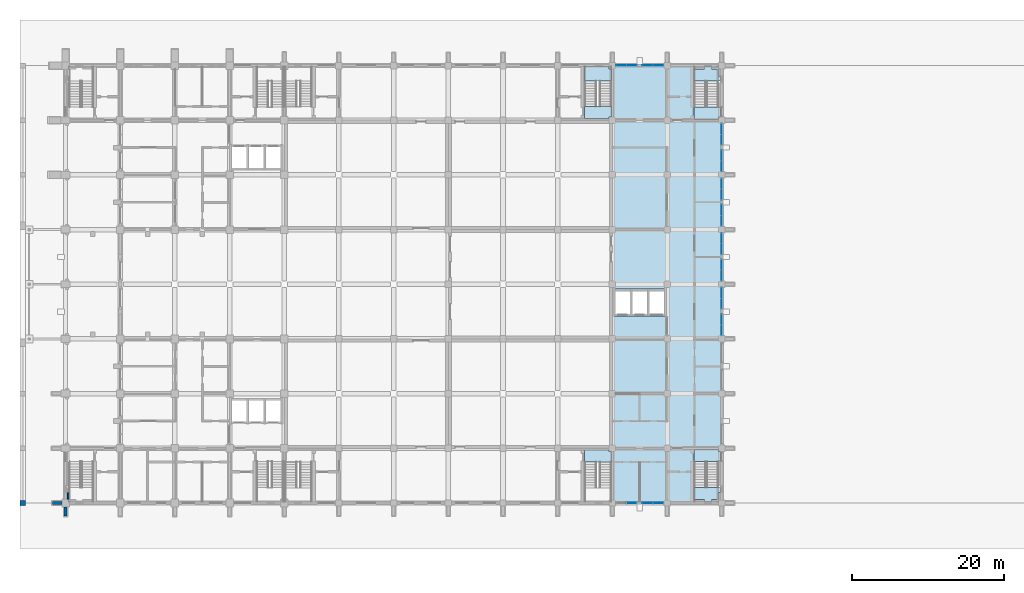
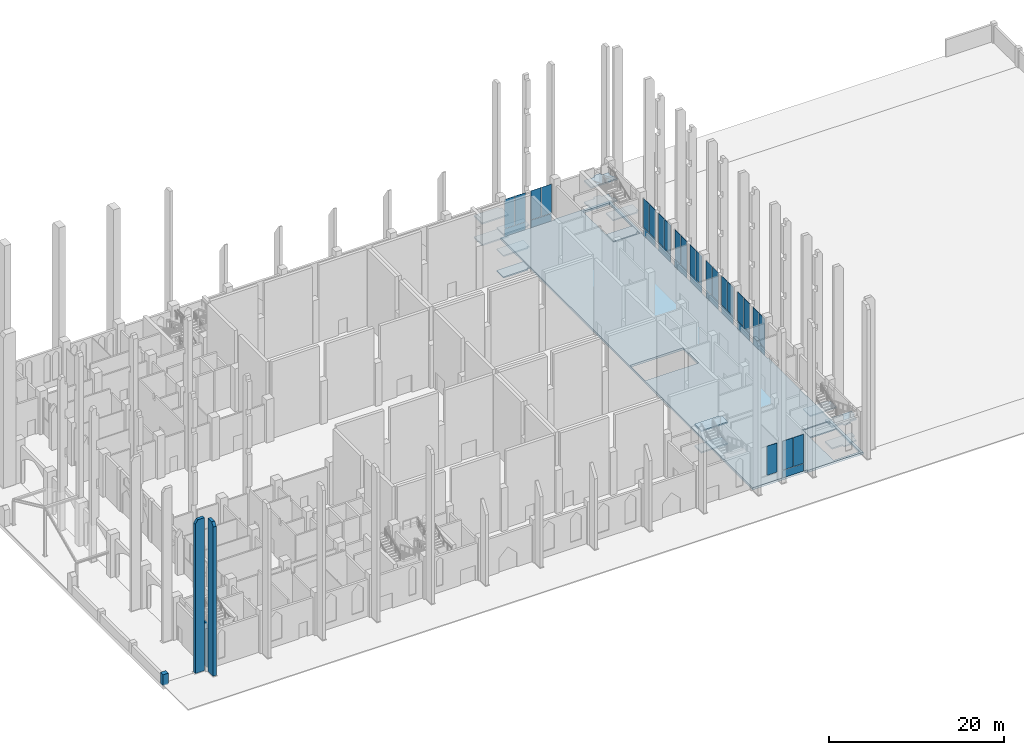
# One storey, part 27 of 50: 34 plates, 16 slabs, 4 walls, 16 elements without a shape of their own.
"""IFC4 building model written with IfcOpenShell, lengths in metres."""

import ifcopenshell
import ifcopenshell.guid

model = None  # the IFC model being written
_history = None  # IfcOwnerHistory: only IFC2X3 demands one
_inside = {}  # id of a spatial element -> (the spatial element, [elements in it])
_under = {}  # id of a project, library or spatial element -> (it, [spatial elements below it])
_declared = {}  # id of a project -> (the project, [libraries it declares])
_typed = {}  # id of a type object -> (the type object, [elements of that type])
_made_of = {}  # id of a material, layer set ... -> (it, [elements and type objects made of it])


def new_model(schema):
    """Start an empty IFC model of exactly this schema.

    Asked for "IFC4X3", IfcOpenShell would pick the latest addendum, in which some entities
    have other attributes; the version numbers below select the first issue.
    IFC2X3 requires an IfcOwnerHistory on every rooted entity: one is made here for all.
    """
    global model, _history
    if schema == "IFC4X3":
        model = ifcopenshell.file(schema_version=(4, 3, 0, 0))
    else:
        model = ifcopenshell.file(schema=schema)
    _inside.clear()
    _under.clear()
    _declared.clear()
    _typed.clear()
    _made_of.clear()
    _history = None
    if model.schema == "IFC2X3":
        org = make("IfcOrganization", Name="unknown")
        user = make(
            "IfcPersonAndOrganization",
            ThePerson=make("IfcPerson", FamilyName="unknown"),
            TheOrganization=org,
        )
        app = make(
            "IfcApplication",
            ApplicationDeveloper=org,
            Version="unknown",
            ApplicationFullName="unknown",
            ApplicationIdentifier="unknown",
        )
        _history = make(
            "IfcOwnerHistory",
            OwningUser=user,
            OwningApplication=app,
            ChangeAction="ADDED",
            CreationDate=0,
        )
    return model


def make(cls, **values):
    """One entity of the class cls with the attributes given. An attribute that is None is left unset."""
    return model.create_entity(
        cls, **{name: value for name, value in values.items() if value is not None}
    )


def rooted(cls, **values):
    """An entity with a GlobalId (a new one), such as an element, a storey or a relation."""
    return make(cls, GlobalId=ifcopenshell.guid.new(), OwnerHistory=_history, **values)


def si_unit(unit_type, name, prefix=None):
    """IfcSIUnit, for example si_unit("LENGTHUNIT", "METRE", prefix="MILLI")."""
    return make("IfcSIUnit", UnitType=unit_type, Prefix=prefix, Name=name)


def assignment(units):
    """IfcUnitAssignment: the units of a project."""
    return None if units is None else make("IfcUnitAssignment", Units=units)


def point(xyz):
    """IfcCartesianPoint."""
    return None if xyz is None else make("IfcCartesianPoint", Coordinates=xyz)


def direction(xyz):
    """IfcDirection."""
    return None if xyz is None else make("IfcDirection", DirectionRatios=xyz)


def frame(location, z_axis=None, x_axis=None):
    """IfcAxis2Placement3D, a coordinate frame: its origin and axes. An axis left out is left unset."""
    return make(
        "IfcAxis2Placement3D",
        Location=point(location),
        Axis=direction(z_axis),
        RefDirection=direction(x_axis),
    )


def frame_2d(location, x_axis=None):
    """IfcAxis2Placement2D, a coordinate frame in the plane: its origin and x axis."""
    return make(
        "IfcAxis2Placement2D", Location=point(location), RefDirection=direction(x_axis)
    )


def origin():
    """The frame at (0, 0, 0) with its axes left unset."""
    return frame((0.0, 0.0, 0.0))


def origin_2d():
    """The frame at (0, 0) in the plane with its x axis left unset."""
    return frame_2d((0.0, 0.0))


def place(relative_to, where):
    """IfcLocalPlacement: puts the frame where relative to a parent placement (None: the world)."""
    return make(
        "IfcLocalPlacement", PlacementRelTo=relative_to, RelativePlacement=where
    )


def context(
    kind, dimensions, precision=None, world=None, true_north=None, identifier=None
):
    """IfcGeometricRepresentationContext, for example the 3D "Model" context."""
    return make(
        "IfcGeometricRepresentationContext",
        ContextIdentifier=identifier,
        ContextType=kind,
        CoordinateSpaceDimension=dimensions,
        Precision=precision,
        WorldCoordinateSystem=world,
        TrueNorth=true_north,
    )


def subcontext(parent, identifier, kind, view, scale=None):
    """IfcGeometricRepresentationSubContext, for example "Body" below "Model"."""
    return make(
        "IfcGeometricRepresentationSubContext",
        ContextIdentifier=identifier,
        ContextType=kind,
        ParentContext=parent,
        TargetScale=scale,
        TargetView=view,
    )


def project(units=None, contexts=None):
    """IfcProject with its units and contexts."""
    return rooted(
        "IfcProject",
        Name="project",
        RepresentationContexts=contexts,
        UnitsInContext=assignment(units),
    )


def spatial(cls, under=None, at=None, **own):
    """A site, building, storey or space (cls), placed at a placement, below another one or the project."""
    s = rooted(cls, ObjectPlacement=at, **own)
    if under is not None:
        _under.setdefault(under.id(), (under, []))[1].append(s)
    return s


def polyline(points):
    """IfcPolyline through the points."""
    return make("IfcPolyline", Points=[point(p) for p in points])


def profile(cls, at=None, kind="AREA", **sizes):
    """A parametric profile (cls). Its sizes go by their IFC names, for example OverallWidth=200.0."""
    return make(cls, ProfileType=kind, Position=at, **sizes)


def rectangle(**sizes):
    """IfcRectangleProfileDef."""
    return profile("IfcRectangleProfileDef", **sizes)


def outline(outer, holes=None, kind="AREA"):
    """IfcArbitraryClosedProfileDef: a profile drawn as a closed curve; with holes, ...WithVoids."""
    if holes is None:
        return make("IfcArbitraryClosedProfileDef", ProfileType=kind, OuterCurve=outer)
    return make(
        "IfcArbitraryProfileDefWithVoids",
        ProfileType=kind,
        OuterCurve=outer,
        InnerCurves=holes,
    )


def extrude(swept, where, along, depth):
    """IfcExtrudedAreaSolid: the profile swept, set in the frame where, extruded along a direction by depth."""
    return make(
        "IfcExtrudedAreaSolid",
        SweptArea=swept,
        Position=where,
        ExtrudedDirection=direction(along),
        Depth=depth,
    )


def shape(context_of_items, identifier, shape_type, items):
    """IfcShapeRepresentation: the items that make up one representation, for example the "Body"."""
    return make(
        "IfcShapeRepresentation",
        ContextOfItems=context_of_items,
        RepresentationIdentifier=identifier,
        RepresentationType=shape_type,
        Items=items,
    )


def material(Name=None, Category=None):
    """IfcMaterial."""
    return make("IfcMaterial", Name=Name, Category=Category)


def layer(
    of_material, thickness, ventilated=None, Name=None, Category=None, Priority=None
):
    """IfcMaterialLayer: one layer of a wall or slab, of a material (None: an air gap)."""
    return make(
        "IfcMaterialLayer",
        Material=of_material,
        LayerThickness=thickness,
        IsVentilated=ventilated,
        Name=Name,
        Category=Category,
        Priority=Priority,
    )


def layer_set(layers, Name=None):
    """IfcMaterialLayerSet."""
    return make("IfcMaterialLayerSet", MaterialLayers=layers, LayerSetName=Name)


def made_of(thing, what):
    """Note that an element or type object is made of a material, layer set ...; save() writes the relation."""
    if what is not None:
        _made_of.setdefault(what.id(), (what, []))[1].append(thing)
    return thing


def type_object(cls, material=None, **own):
    """A type object (cls), such as IfcWallType, which elements share."""
    return made_of(rooted(cls, **own), material)


def element(
    cls,
    number,
    at=None,
    inside=None,
    cuts=None,
    type_object=None,
    material=None,
    context=None,
    identifier="Body",
    shape_type=None,
    held_by="IfcProductDefinitionShape",
    body=None,
    shapes=None,
    **own,
):
    """One element of the class cls, such as IfcWall. Its Tag is "e" and its number.

    at: its placement. inside: the storey or other place that contains it. cuts: it is an
    opening in that element (IfcRelVoidsElement). A single representation is given by context,
    identifier, shape_type and body (its items); several are given by shapes. held_by: the class
    of the entity that holds the representations. save() writes the other relations.
    """
    e = rooted(cls, Tag="e%d" % number, ObjectPlacement=at, **own)
    if body is not None:
        shapes = [shape(context, identifier, shape_type, body)]
    if shapes is not None:
        e.Representation = make(held_by, Representations=shapes)
    if inside is not None:
        _inside.setdefault(inside.id(), (inside, []))[1].append(e)
    if cuts is not None:
        rooted(
            "IfcRelVoidsElement", RelatingBuildingElement=cuts, RelatedOpeningElement=e
        )
    if type_object is not None:
        _typed.setdefault(type_object.id(), (type_object, []))[1].append(e)
    return made_of(e, material)


def aggregate(whole, parts):
    """IfcRelAggregates: a whole, such as a stair, and the parts it consists of."""
    return rooted("IfcRelAggregates", RelatingObject=whole, RelatedObjects=parts)


def save(model, path):
    """Write the relations noted so far, then the file.

    IfcRelAggregates (storeys below a building ...), IfcRelContainedInSpatialStructure (elements
    in a storey), IfcRelDefinesByType, IfcRelAssociatesMaterial and IfcRelDeclares: one each for
    every whole, place, type object, material and project.
    """
    for whole, parts in _under.values():
        aggregate(whole, parts)
    for where, things in _inside.values():
        rooted(
            "IfcRelContainedInSpatialStructure",
            RelatedElements=things,
            RelatingStructure=where,
        )
    for kind, things in _typed.values():
        rooted("IfcRelDefinesByType", RelatedObjects=things, RelatingType=kind)
    for what, things in _made_of.values():
        rooted("IfcRelAssociatesMaterial", RelatedObjects=things, RelatingMaterial=what)
    for by, libraries in _declared.values():
        rooted("IfcRelDeclares", RelatingContext=by, RelatedDefinitions=libraries)
    model.write(path)


model = new_model("IFC4")

# Units and contexts
model_context = context("Model", 3, precision=1e-05, world=origin(), true_north=direction((0.0, 1.0)))
body_context = subcontext(model_context, "Body", "Model", "MODEL_VIEW")
ifc_project = project(units=[si_unit("LENGTHUNIT", "METRE"), si_unit("AREAUNIT", "SQUARE_METRE"), si_unit("VOLUMEUNIT", "CUBIC_METRE"), si_unit("PLANEANGLEUNIT", "RADIAN"), si_unit("MASSUNIT", "GRAM", prefix="KILO")], contexts=[model_context])

# Site, building, storey
site_placement = place(None, origin())
site = spatial("IfcSite", under=ifc_project, at=site_placement, CompositionType="ELEMENT")
building_placement = place(site_placement, origin())
building = spatial("IfcBuilding", under=site, at=building_placement, Name="Silangan Lancet Faculty of Sciences", CompositionType="ELEMENT")
storey_placement = place(building_placement, origin())
storey = spatial("IfcBuildingStorey", under=building, at=storey_placement, Name="L00", CompositionType="ELEMENT", Elevation=0.0)

# Curtain wall, plates
ifc_material_1 = material(Name="Aluminium framed curtain wall with insulated glass", Category="aluminium")
curtain_wall_type = type_object("IfcCurtainWallType", Name="CW1 Commons and east block glazing", PredefinedType="NOTDEFINED", material=ifc_material_1)
curtain_wall_1_placement = place(storey_placement, origin())
curtain_wall_1 = element("IfcCurtainWall", 1, at=curtain_wall_1_placement, inside=storey, type_object=curtain_wall_type, Name="CW1 East commons L00 bay 5", PredefinedType="NOTDEFINED")
ifc_material_2 = material(Name="Insulated glass unit 8+16+8 low-emissivity", Category="glass")
ifc_layer_1 = layer(ifc_material_2, 0.031982421875)
ifc_layer_set_1 = layer_set([ifc_layer_1], Name="Insulated glass unit 8+16+8 low-emissivity")
plate_type_1 = type_object("IfcPlateType", Name="CP1 Panel vision glass 32", PredefinedType="CURTAIN_PANEL", material=ifc_layer_set_1)
plate_1_placement = place(storey_placement, frame((86.39990234375, 22.7587890625, 1.10009765625), z_axis=(0.0, 0.0, 1.0), x_axis=(0.0, 1.0, 0.0)))
plate_1 = element("IfcPlate", 2, at=plate_1_placement, type_object=plate_type_1, Name="CW1 East commons L00 bay 5 panel 2", PredefinedType="CURTAIN_PANEL", context=body_context, shape_type="SweptSolid", body=[
    extrude(rectangle(XDim=1.347412109375, YDim=0.031982421875, at=origin_2d()), origin(), (0.0, 0.0, 1.0), 4.050048828125),
])
plate_2_placement = place(storey_placement, frame((86.39990234375, 24.166259765625, 1.10009765625), z_axis=(0.0, 0.0, 1.0), x_axis=(0.0, 1.0, 0.0)))
plate_2 = element("IfcPlate", 3, at=plate_2_placement, type_object=plate_type_1, Name="CW1 East commons L00 bay 5 panel 3", PredefinedType="CURTAIN_PANEL", context=body_context, shape_type="SweptSolid", body=[
    extrude(rectangle(XDim=1.347412109375, YDim=0.031982421875, at=origin_2d()), origin(), (0.0, 0.0, 1.0), 4.050048828125),
])

curtain_wall_2_placement = place(storey_placement, origin())
curtain_wall_2 = element("IfcCurtainWall", 4, at=curtain_wall_2_placement, inside=storey, type_object=curtain_wall_type, Name="CW1 East commons L00 bay 6", PredefinedType="NOTDEFINED")
plate_3_placement = place(storey_placement, frame((86.39990234375, 26.233642578125, 1.10009765625), z_axis=(0.0, 0.0, 1.0), x_axis=(0.0, 1.0, 0.0)))
plate_3 = element("IfcPlate", 5, at=plate_3_placement, type_object=plate_type_1, Name="CW1 East commons L00 bay 6 panel 2", PredefinedType="CURTAIN_PANEL", context=body_context, shape_type="SweptSolid", body=[
    extrude(rectangle(XDim=1.347412109375, YDim=0.031982421875, at=origin_2d()), origin(), (0.0, 0.0, 1.0), 4.050048828125),
])
plate_4_placement = place(storey_placement, frame((86.39990234375, 27.641357421875, 1.10009765625), z_axis=(0.0, 0.0, 1.0), x_axis=(0.0, 1.0, 0.0)))
plate_4 = element("IfcPlate", 6, at=plate_4_placement, type_object=plate_type_1, Name="CW1 East commons L00 bay 6 panel 3", PredefinedType="CURTAIN_PANEL", context=body_context, shape_type="SweptSolid", body=[
    extrude(rectangle(XDim=1.347412109375, YDim=0.031982421875, at=origin_2d()), origin(), (0.0, 0.0, 1.0), 4.050048828125),
])

curtain_wall_3_placement = place(storey_placement, origin())
curtain_wall_3 = element("IfcCurtainWall", 7, at=curtain_wall_3_placement, inside=storey, type_object=curtain_wall_type, Name="CW1 East commons L00 bay 7", PredefinedType="NOTDEFINED")
plate_5_placement = place(storey_placement, frame((86.39990234375, 29.958740234375, 1.10009765625), z_axis=(0.0, 0.0, 1.0), x_axis=(0.0, 1.0, 0.0)))
plate_5 = element("IfcPlate", 8, at=plate_5_placement, type_object=plate_type_1, Name="CW1 East commons L00 bay 7 panel 2", PredefinedType="CURTAIN_PANEL", context=body_context, shape_type="SweptSolid", body=[
    extrude(rectangle(XDim=1.347412109375, YDim=0.031982421875, at=origin_2d()), origin(), (0.0, 0.0, 1.0), 4.050048828125),
])
plate_6_placement = place(storey_placement, frame((86.39990234375, 31.3662109375, 1.10009765625), z_axis=(0.0, 0.0, 1.0), x_axis=(0.0, 1.0, 0.0)))
plate_6 = element("IfcPlate", 9, at=plate_6_placement, type_object=plate_type_1, Name="CW1 East commons L00 bay 7 panel 3", PredefinedType="CURTAIN_PANEL", context=body_context, shape_type="SweptSolid", body=[
    extrude(rectangle(XDim=1.347412109375, YDim=0.031982421875, at=origin_2d()), origin(), (0.0, 0.0, 1.0), 4.050048828125),
])

curtain_wall_4_placement = place(storey_placement, origin())
curtain_wall_4 = element("IfcCurtainWall", 10, at=curtain_wall_4_placement, inside=storey, type_object=curtain_wall_type, Name="CW1 East commons L00 bay 8", PredefinedType="NOTDEFINED")
plate_7_placement = place(storey_placement, frame((86.39990234375, 33.43359375, 1.10009765625), z_axis=(0.0, 0.0, 1.0), x_axis=(0.0, 1.0, 0.0)))
plate_7 = element("IfcPlate", 11, at=plate_7_placement, type_object=plate_type_1, Name="CW1 East commons L00 bay 8 panel 2", PredefinedType="CURTAIN_PANEL", context=body_context, shape_type="SweptSolid", body=[
    extrude(rectangle(XDim=1.34765625, YDim=0.031982421875, at=origin_2d()), origin(), (0.0, 0.0, 1.0), 4.050048828125),
])
plate_8_placement = place(storey_placement, frame((86.39990234375, 34.84130859375, 1.10009765625), z_axis=(0.0, 0.0, 1.0), x_axis=(0.0, 1.0, 0.0)))
plate_8 = element("IfcPlate", 12, at=plate_8_placement, type_object=plate_type_1, Name="CW1 East commons L00 bay 8 panel 3", PredefinedType="CURTAIN_PANEL", context=body_context, shape_type="SweptSolid", body=[
    extrude(rectangle(XDim=1.34765625, YDim=0.031982421875, at=origin_2d()), origin(), (0.0, 0.0, 1.0), 4.050048828125),
])

curtain_wall_5_placement = place(storey_placement, origin())
curtain_wall_5 = element("IfcCurtainWall", 13, at=curtain_wall_5_placement, inside=storey, type_object=curtain_wall_type, Name="CW1 East commons L00 bay 9", PredefinedType="NOTDEFINED")
plate_9_placement = place(storey_placement, frame((86.39990234375, 37.15869140625, 1.10009765625), z_axis=(0.0, 0.0, 1.0), x_axis=(0.0, 1.0, 0.0)))
plate_9 = element("IfcPlate", 14, at=plate_9_placement, type_object=plate_type_1, Name="CW1 East commons L00 bay 9 panel 2", PredefinedType="CURTAIN_PANEL", context=body_context, shape_type="SweptSolid", body=[
    extrude(rectangle(XDim=1.34765625, YDim=0.031982421875, at=origin_2d()), origin(), (0.0, 0.0, 1.0), 4.050048828125),
])
plate_10_placement = place(storey_placement, frame((86.39990234375, 38.56640625, 1.10009765625), z_axis=(0.0, 0.0, 1.0), x_axis=(0.0, 1.0, 0.0)))
plate_10 = element("IfcPlate", 15, at=plate_10_placement, type_object=plate_type_1, Name="CW1 East commons L00 bay 9 panel 3", PredefinedType="CURTAIN_PANEL", context=body_context, shape_type="SweptSolid", body=[
    extrude(rectangle(XDim=1.34765625, YDim=0.031982421875, at=origin_2d()), origin(), (0.0, 0.0, 1.0), 4.050048828125),
])

curtain_wall_6_placement = place(storey_placement, origin())
curtain_wall_6 = element("IfcCurtainWall", 16, at=curtain_wall_6_placement, inside=storey, type_object=curtain_wall_type, Name="CW1 East commons L00 bay 10", PredefinedType="NOTDEFINED")
plate_11_placement = place(storey_placement, frame((86.39990234375, 40.6337890625, 1.10009765625), z_axis=(0.0, 0.0, 1.0), x_axis=(0.0, 1.0, 0.0)))
plate_11 = element("IfcPlate", 17, at=plate_11_placement, type_object=plate_type_1, Name="CW1 East commons L00 bay 10 panel 2", PredefinedType="CURTAIN_PANEL", context=body_context, shape_type="SweptSolid", body=[
    extrude(rectangle(XDim=1.347412109375, YDim=0.031982421875, at=origin_2d()), origin(), (0.0, 0.0, 1.0), 4.050048828125),
])
plate_12_placement = place(storey_placement, frame((86.39990234375, 42.041259765625, 1.10009765625), z_axis=(0.0, 0.0, 1.0), x_axis=(0.0, 1.0, 0.0)))
plate_12 = element("IfcPlate", 18, at=plate_12_placement, type_object=plate_type_1, Name="CW1 East commons L00 bay 10 panel 3", PredefinedType="CURTAIN_PANEL", context=body_context, shape_type="SweptSolid", body=[
    extrude(rectangle(XDim=1.347412109375, YDim=0.031982421875, at=origin_2d()), origin(), (0.0, 0.0, 1.0), 4.050048828125),
])

curtain_wall_7_placement = place(storey_placement, origin())
curtain_wall_7 = element("IfcCurtainWall", 19, at=curtain_wall_7_placement, inside=storey, type_object=curtain_wall_type, Name="CW1 East commons L00 bay 11", PredefinedType="NOTDEFINED")
plate_13_placement = place(storey_placement, frame((86.39990234375, 44.358642578125, 1.10009765625), z_axis=(0.0, 0.0, 1.0), x_axis=(0.0, 1.0, 0.0)))
plate_13 = element("IfcPlate", 20, at=plate_13_placement, type_object=plate_type_1, Name="CW1 East commons L00 bay 11 panel 2", PredefinedType="CURTAIN_PANEL", context=body_context, shape_type="SweptSolid", body=[
    extrude(rectangle(XDim=1.347412109375, YDim=0.031982421875, at=origin_2d()), origin(), (0.0, 0.0, 1.0), 4.050048828125),
])
plate_14_placement = place(storey_placement, frame((86.39990234375, 45.766357421875, 1.10009765625), z_axis=(0.0, 0.0, 1.0), x_axis=(0.0, 1.0, 0.0)))
plate_14 = element("IfcPlate", 21, at=plate_14_placement, type_object=plate_type_1, Name="CW1 East commons L00 bay 11 panel 3", PredefinedType="CURTAIN_PANEL", context=body_context, shape_type="SweptSolid", body=[
    extrude(rectangle(XDim=1.347412109375, YDim=0.031982421875, at=origin_2d()), origin(), (0.0, 0.0, 1.0), 4.050048828125),
])

curtain_wall_8_placement = place(storey_placement, origin())
curtain_wall_8 = element("IfcCurtainWall", 22, at=curtain_wall_8_placement, inside=storey, type_object=curtain_wall_type, Name="CW1 East commons L00 bay 12", PredefinedType="NOTDEFINED")
plate_15_placement = place(storey_placement, frame((86.39990234375, 47.833740234375, 1.10009765625), z_axis=(0.0, 0.0, 1.0), x_axis=(0.0, 1.0, 0.0)))
plate_15 = element("IfcPlate", 23, at=plate_15_placement, type_object=plate_type_1, Name="CW1 East commons L00 bay 12 panel 2", PredefinedType="CURTAIN_PANEL", context=body_context, shape_type="SweptSolid", body=[
    extrude(rectangle(XDim=1.347412109375, YDim=0.031982421875, at=origin_2d()), origin(), (0.0, 0.0, 1.0), 4.050048828125),
])
plate_16_placement = place(storey_placement, frame((86.39990234375, 49.2412109375, 1.10009765625), z_axis=(0.0, 0.0, 1.0), x_axis=(0.0, 1.0, 0.0)))
plate_16 = element("IfcPlate", 24, at=plate_16_placement, type_object=plate_type_1, Name="CW1 East commons L00 bay 12 panel 3", PredefinedType="CURTAIN_PANEL", context=body_context, shape_type="SweptSolid", body=[
    extrude(rectangle(XDim=1.347412109375, YDim=0.031982421875, at=origin_2d()), origin(), (0.0, 0.0, 1.0), 4.050048828125),
])

# Curtain wall, plate
curtain_wall_9_placement = place(storey_placement, origin())
curtain_wall_9 = element("IfcCurtainWall", 25, at=curtain_wall_9_placement, inside=storey, type_object=curtain_wall_type, Name="CW1 East block south L00 bay 1", PredefinedType="NOTDEFINED")
plate_17_placement = place(storey_placement, frame((74.56640625, 0.0, 1.10009765625), z_axis=(0.0, 0.0, 1.0), x_axis=(1.0, 0.0, 0.0)))
plate_17 = element("IfcPlate", 26, at=plate_17_placement, type_object=plate_type_1, Name="CW1 East block south L00 bay 1 panel 3", PredefinedType="CURTAIN_PANEL", context=body_context, shape_type="SweptSolid", body=[
    extrude(rectangle(XDim=1.34765625, YDim=0.031982421875, at=origin_2d()), origin(), (0.0, 0.0, 1.0), 4.050048828125),
])
aggregate(curtain_wall_9, [plate_17])

# Curtain wall, plates
curtain_wall_10_placement = place(storey_placement, origin())
curtain_wall_10 = element("IfcCurtainWall", 27, at=curtain_wall_10_placement, inside=storey, type_object=curtain_wall_type, Name="CW1 East block south L00 bay 2", PredefinedType="NOTDEFINED")
plate_18_placement = place(storey_placement, frame((76.6337890625, 0.0, 1.10009765625), z_axis=(0.0, 0.0, 1.0), x_axis=(1.0, 0.0, 0.0)))
plate_18 = element("IfcPlate", 28, at=plate_18_placement, type_object=plate_type_1, Name="CW1 East block south L00 bay 2 panel 2", PredefinedType="CURTAIN_PANEL", context=body_context, shape_type="SweptSolid", body=[
    extrude(rectangle(XDim=1.347412109375, YDim=0.031982421875, at=origin_2d()), origin(), (0.0, 0.0, 1.0), 4.050048828125),
])
plate_19_placement = place(storey_placement, frame((78.041259765625, 0.0, 1.10009765625), z_axis=(0.0, 0.0, 1.0), x_axis=(1.0, 0.0, 0.0)))
plate_19 = element("IfcPlate", 29, at=plate_19_placement, type_object=plate_type_1, Name="CW1 East block south L00 bay 2 panel 3", PredefinedType="CURTAIN_PANEL", context=body_context, shape_type="SweptSolid", body=[
    extrude(rectangle(XDim=1.347412109375, YDim=0.031982421875, at=origin_2d()), origin(), (0.0, 0.0, 1.0), 4.050048828125),
])

curtain_wall_11_placement = place(storey_placement, origin())
curtain_wall_11 = element("IfcCurtainWall", 30, at=curtain_wall_11_placement, inside=storey, type_object=curtain_wall_type, Name="CW1 East block north L00 bay 1", PredefinedType="NOTDEFINED")
plate_20_placement = place(storey_placement, frame((78.041259765625, 57.60009765625, 1.10009765625), z_axis=(0.0, 0.0, 1.0), x_axis=(-1.0, 0.0, 0.0)))
plate_20 = element("IfcPlate", 31, at=plate_20_placement, type_object=plate_type_1, Name="CW1 East block north L00 bay 1 panel 2", PredefinedType="CURTAIN_PANEL", context=body_context, shape_type="SweptSolid", body=[
    extrude(rectangle(XDim=1.347412109375, YDim=0.031982421875, at=origin_2d()), origin(), (0.0, 0.0, 1.0), 4.050048828125),
])
plate_21_placement = place(storey_placement, frame((76.6337890625, 57.60009765625, 1.10009765625), z_axis=(0.0, 0.0, 1.0), x_axis=(-1.0, 0.0, 0.0)))
plate_21 = element("IfcPlate", 32, at=plate_21_placement, type_object=plate_type_1, Name="CW1 East block north L00 bay 1 panel 3", PredefinedType="CURTAIN_PANEL", context=body_context, shape_type="SweptSolid", body=[
    extrude(rectangle(XDim=1.347412109375, YDim=0.031982421875, at=origin_2d()), origin(), (0.0, 0.0, 1.0), 4.050048828125),
])

curtain_wall_12_placement = place(storey_placement, origin())
curtain_wall_12 = element("IfcCurtainWall", 33, at=curtain_wall_12_placement, inside=storey, type_object=curtain_wall_type, Name="CW1 East block north L00 bay 2", PredefinedType="NOTDEFINED")
plate_22_placement = place(storey_placement, frame((74.56640625, 57.60009765625, 1.10009765625), z_axis=(0.0, 0.0, 1.0), x_axis=(-1.0, 0.0, 0.0)))
plate_22 = element("IfcPlate", 34, at=plate_22_placement, type_object=plate_type_1, Name="CW1 East block north L00 bay 2 panel 2", PredefinedType="CURTAIN_PANEL", context=body_context, shape_type="SweptSolid", body=[
    extrude(rectangle(XDim=1.34765625, YDim=0.031982421875, at=origin_2d()), origin(), (0.0, 0.0, 1.0), 4.050048828125),
])
plate_23_placement = place(storey_placement, frame((73.15869140625, 57.60009765625, 1.10009765625), z_axis=(0.0, 0.0, 1.0), x_axis=(-1.0, 0.0, 0.0)))
plate_23 = element("IfcPlate", 35, at=plate_23_placement, type_object=plate_type_1, Name="CW1 East block north L00 bay 2 panel 3", PredefinedType="CURTAIN_PANEL", context=body_context, shape_type="SweptSolid", body=[
    extrude(rectangle(XDim=1.34765625, YDim=0.031982421875, at=origin_2d()), origin(), (0.0, 0.0, 1.0), 4.050048828125),
])

# Plate
ifc_material_3 = material(Name="Laminated insulated glass unit 10.76+14+8", Category="glass")
ifc_layer_2 = layer(ifc_material_3, 0.035888671875)
ifc_layer_set_2 = layer_set([ifc_layer_2], Name="Laminated insulated glass unit 10.76+14+8")
plate_type_2 = type_object("IfcPlateType", Name="CP2 Panel laminated glass 36", PredefinedType="CURTAIN_PANEL", material=ifc_layer_set_2)
plate_24_placement = place(storey_placement, frame((86.39990234375, 23.46240234375, 0.0), z_axis=(0.0, 0.0, 1.0), x_axis=(0.0, 1.0, 0.0)))
plate_24 = element("IfcPlate", 36, at=plate_24_placement, type_object=plate_type_2, Name="CW1 East commons L00 bay 5 panel 1", PredefinedType="CURTAIN_PANEL", context=body_context, shape_type="SweptSolid", body=[
    extrude(rectangle(XDim=2.7548828125, YDim=0.035888671875, at=origin_2d()), origin(), (0.0, 0.0, 1.0), 1.0400390625),
])

aggregate(curtain_wall_1, [plate_24, plate_1, plate_2])

plate_25_placement = place(storey_placement, frame((86.39990234375, 26.9375, 0.0), z_axis=(0.0, 0.0, 1.0), x_axis=(0.0, 1.0, 0.0)))
plate_25 = element("IfcPlate", 37, at=plate_25_placement, type_object=plate_type_2, Name="CW1 East commons L00 bay 6 panel 1", PredefinedType="CURTAIN_PANEL", context=body_context, shape_type="SweptSolid", body=[
    extrude(rectangle(XDim=2.7548828125, YDim=0.035888671875, at=origin_2d()), origin(), (0.0, 0.0, 1.0), 1.0400390625),
])

aggregate(curtain_wall_2, [plate_25, plate_3, plate_4])

plate_26_placement = place(storey_placement, frame((86.39990234375, 30.662353515625, 0.0), z_axis=(0.0, 0.0, 1.0), x_axis=(0.0, 1.0, 0.0)))
plate_26 = element("IfcPlate", 38, at=plate_26_placement, type_object=plate_type_2, Name="CW1 East commons L00 bay 7 panel 1", PredefinedType="CURTAIN_PANEL", context=body_context, shape_type="SweptSolid", body=[
    extrude(rectangle(XDim=2.7548828125, YDim=0.035888671875, at=origin_2d()), origin(), (0.0, 0.0, 1.0), 1.0400390625),
])

aggregate(curtain_wall_3, [plate_26, plate_5, plate_6])

plate_27_placement = place(storey_placement, frame((86.39990234375, 34.137451171875, 0.0), z_axis=(0.0, 0.0, 1.0), x_axis=(0.0, 1.0, 0.0)))
plate_27 = element("IfcPlate", 39, at=plate_27_placement, type_object=plate_type_2, Name="CW1 East commons L00 bay 8 panel 1", PredefinedType="CURTAIN_PANEL", context=body_context, shape_type="SweptSolid", body=[
    extrude(rectangle(XDim=2.755126953125, YDim=0.035888671875, at=origin_2d()), origin(), (0.0, 0.0, 1.0), 1.0400390625),
])

aggregate(curtain_wall_4, [plate_27, plate_7, plate_8])

plate_28_placement = place(storey_placement, frame((86.39990234375, 37.862548828125, 0.0), z_axis=(0.0, 0.0, 1.0), x_axis=(0.0, 1.0, 0.0)))
plate_28 = element("IfcPlate", 40, at=plate_28_placement, type_object=plate_type_2, Name="CW1 East commons L00 bay 9 panel 1", PredefinedType="CURTAIN_PANEL", context=body_context, shape_type="SweptSolid", body=[
    extrude(rectangle(XDim=2.755126953125, YDim=0.035888671875, at=origin_2d()), origin(), (0.0, 0.0, 1.0), 1.0400390625),
])

aggregate(curtain_wall_5, [plate_28, plate_9, plate_10])

plate_29_placement = place(storey_placement, frame((86.39990234375, 41.337646484375, 0.0), z_axis=(0.0, 0.0, 1.0), x_axis=(0.0, 1.0, 0.0)))
plate_29 = element("IfcPlate", 41, at=plate_29_placement, type_object=plate_type_2, Name="CW1 East commons L00 bay 10 panel 1", PredefinedType="CURTAIN_PANEL", context=body_context, shape_type="SweptSolid", body=[
    extrude(rectangle(XDim=2.7548828125, YDim=0.035888671875, at=origin_2d()), origin(), (0.0, 0.0, 1.0), 1.0400390625),
])

aggregate(curtain_wall_6, [plate_29, plate_11, plate_12])

plate_30_placement = place(storey_placement, frame((86.39990234375, 45.0625, 0.0), z_axis=(0.0, 0.0, 1.0), x_axis=(0.0, 1.0, 0.0)))
plate_30 = element("IfcPlate", 42, at=plate_30_placement, type_object=plate_type_2, Name="CW1 East commons L00 bay 11 panel 1", PredefinedType="CURTAIN_PANEL", context=body_context, shape_type="SweptSolid", body=[
    extrude(rectangle(XDim=2.7548828125, YDim=0.035888671875, at=origin_2d()), origin(), (0.0, 0.0, 1.0), 1.0400390625),
])

aggregate(curtain_wall_7, [plate_30, plate_13, plate_14])

plate_31_placement = place(storey_placement, frame((86.39990234375, 48.53759765625, 0.0), z_axis=(0.0, 0.0, 1.0), x_axis=(0.0, 1.0, 0.0)))
plate_31 = element("IfcPlate", 43, at=plate_31_placement, type_object=plate_type_2, Name="CW1 East commons L00 bay 12 panel 1", PredefinedType="CURTAIN_PANEL", context=body_context, shape_type="SweptSolid", body=[
    extrude(rectangle(XDim=2.7548828125, YDim=0.035888671875, at=origin_2d()), origin(), (0.0, 0.0, 1.0), 1.0400390625),
])

aggregate(curtain_wall_8, [plate_31, plate_15, plate_16])

plate_32_placement = place(storey_placement, frame((77.337646484375, 0.0, 0.0), z_axis=(0.0, 0.0, 1.0), x_axis=(1.0, 0.0, 0.0)))
plate_32 = element("IfcPlate", 44, at=plate_32_placement, type_object=plate_type_2, Name="CW1 East block south L00 bay 2 panel 1", PredefinedType="CURTAIN_PANEL", context=body_context, shape_type="SweptSolid", body=[
    extrude(rectangle(XDim=2.7548828125, YDim=0.035888671875, at=origin_2d()), origin(), (0.0, 0.0, 1.0), 1.0400390625),
])

aggregate(curtain_wall_10, [plate_32, plate_18, plate_19])

plate_33_placement = place(storey_placement, frame((77.337646484375, 57.60009765625, 0.0), z_axis=(0.0, 0.0, 1.0), x_axis=(-1.0, 0.0, 0.0)))
plate_33 = element("IfcPlate", 45, at=plate_33_placement, type_object=plate_type_2, Name="CW1 East block north L00 bay 1 panel 1", PredefinedType="CURTAIN_PANEL", context=body_context, shape_type="SweptSolid", body=[
    extrude(rectangle(XDim=2.7548828125, YDim=0.035888671875, at=origin_2d()), origin(), (0.0, 0.0, 1.0), 1.0400390625),
])

aggregate(curtain_wall_11, [plate_33, plate_20, plate_21])

plate_34_placement = place(storey_placement, frame((73.862548828125, 57.60009765625, 0.0), z_axis=(0.0, 0.0, 1.0), x_axis=(-1.0, 0.0, 0.0)))
plate_34 = element("IfcPlate", 46, at=plate_34_placement, type_object=plate_type_2, Name="CW1 East block north L00 bay 2 panel 1", PredefinedType="CURTAIN_PANEL", context=body_context, shape_type="SweptSolid", body=[
    extrude(rectangle(XDim=2.755126953125, YDim=0.035888671875, at=origin_2d()), origin(), (0.0, 0.0, 1.0), 1.0400390625),
])

aggregate(curtain_wall_12, [plate_34, plate_22, plate_23])

# Slab
ifc_material_4 = material(Name="Concrete C35/45", Category="concrete")
ifc_layer_3 = layer(ifc_material_4, 0.300048828125)
ifc_layer_set_3 = layer_set([ifc_layer_3], Name="Concrete C35/45")
slab_type_1 = type_object("IfcSlabType", Name="SLAB FLOOR 300", PredefinedType="FLOOR", material=ifc_layer_set_3)
slab_1_placement = place(storey_placement, frame((0.0, 0.0, -0.300048828125)))
element("IfcSlab", 47, at=slab_1_placement, inside=storey, type_object=slab_type_1, Name="SLAB-L00-EB", PredefinedType="FLOOR", context=body_context, shape_type="SweptSolid", body=[
    extrude(outline(polyline([(79.199951171875, 57.60009765625), (72.0, 57.60009765625), (72.0, 0.0), (79.199951171875, 0.0), (79.199951171875, -0.14990234375), (86.550048828125, -0.14990234375), (86.550048828125, 21.60009765625), (86.39990234375, 21.60009765625), (86.39990234375, 50.39990234375), (86.550048828125, 50.39990234375), (86.550048828125, 57.75), (79.199951171875, 57.75), (79.199951171875, 57.60009765625)]), holes=[polyline([(82.75, 7.199951171875), (86.25, 7.199951171875), (86.25, 0.14990234375), (82.75, 0.14990234375), (82.75, 7.199951171875)]), polyline([(72.10009765625, 28.14990234375), (79.10009765625, 28.14990234375), (79.10009765625, 24.64990234375), (72.10009765625, 24.64990234375), (72.10009765625, 28.14990234375)]), polyline([(82.75, 57.449951171875), (86.25, 57.449951171875), (86.25, 50.39990234375), (82.75, 50.39990234375), (82.75, 57.449951171875)])]), origin(), (0.0, 0.0, 1.0), 0.300048828125),
])

# Stair, slabs
ifc_material_5 = material(Name="Concrete C40/50", Category="concrete")
stair_type = type_object("IfcStairType", Name="TURRET STAIR 1550 FOUR-FLIGHT", PredefinedType="DOUBLE_RETURN_STAIR", material=ifc_material_5)
stair_1_placement = place(storey_placement, origin())
stair_1 = element("IfcStair", 48, at=stair_1_placement, inside=storey, type_object=stair_type, Name="EB-A stair L00", PredefinedType="DOUBLE_RETURN_STAIR")
ifc_material_6 = material(Name="Concrete C40/50", Category="concrete")
ifc_layer_4 = layer(ifc_material_6, 0.179931640625)
ifc_layer_set_4 = layer_set([ifc_layer_4], Name="Concrete C40/50")
slab_type_2 = type_object("IfcSlabType", Name="TURRET STAIR LANDING RC 180", PredefinedType="LANDING", material=ifc_layer_set_4)
slab_2_placement = place(storey_placement, frame((0.0, 0.0, -0.179931640625)))
slab_2 = element("IfcSlab", 49, at=slab_2_placement, type_object=slab_type_2, Name="STR9 landing 1", PredefinedType="LANDING", context=body_context, shape_type="SweptSolid", body=[
    extrude(outline(polyline([(85.97509765625, 7.074951171875), (85.97509765625, 6.77490234375), (86.25, 6.77490234375), (86.25, 5.5), (85.949951171875, 5.5), (85.949951171875, 5.449951171875), (82.75, 5.449951171875), (82.75, 7.074951171875), (85.97509765625, 7.074951171875)])), origin(), (0.0, 0.0, 1.0), 0.179931640625),
])
slab_3_placement = place(storey_placement, frame((0.0, 0.0, 1.320068359375)))
slab_3 = element("IfcSlab", 50, at=slab_3_placement, type_object=slab_type_2, Name="STR9 landing 2", PredefinedType="LANDING", context=body_context, shape_type="SweptSolid", body=[
    extrude(outline(polyline([(84.14990234375, 0.14990234375), (84.14990234375, 0.449951171875), (82.75, 0.449951171875), (82.75, 2.050048828125), (86.25, 2.050048828125), (86.25, 1.35009765625), (85.949951171875, 1.35009765625), (85.949951171875, 0.449951171875), (85.050048828125, 0.449951171875), (85.050048828125, 0.14990234375), (84.14990234375, 0.14990234375)])), origin(), (0.0, 0.0, 1.0), 0.179931640625),
])
slab_4_placement = place(storey_placement, frame((0.0, 0.0, 2.820068359375)))
slab_4 = element("IfcSlab", 51, at=slab_4_placement, type_object=slab_type_2, Name="STR9 landing 3", PredefinedType="LANDING", context=body_context, shape_type="SweptSolid", body=[
    extrude(outline(polyline([(85.97509765625, 7.074951171875), (85.97509765625, 6.77490234375), (86.25, 6.77490234375), (86.25, 5.5), (85.949951171875, 5.5), (85.949951171875, 5.449951171875), (82.75, 5.449951171875), (82.75, 7.074951171875), (85.97509765625, 7.074951171875)])), origin(), (0.0, 0.0, 1.0), 0.179931640625),
])
slab_5_placement = place(storey_placement, frame((0.0, 0.0, 4.320068359375)))
slab_5 = element("IfcSlab", 52, at=slab_5_placement, type_object=slab_type_2, Name="STR9 landing 4", PredefinedType="LANDING", context=body_context, shape_type="SweptSolid", body=[
    extrude(outline(polyline([(84.14990234375, 0.14990234375), (84.14990234375, 0.449951171875), (82.75, 0.449951171875), (82.75, 2.050048828125), (86.25, 2.050048828125), (86.25, 1.35009765625), (85.949951171875, 1.35009765625), (85.949951171875, 0.449951171875), (85.050048828125, 0.449951171875), (85.050048828125, 0.14990234375), (84.14990234375, 0.14990234375)])), origin(), (0.0, 0.0, 1.0), 0.179931640625),
])
aggregate(stair_1, [slab_2, slab_3, slab_4, slab_5])

stair_2_placement = place(storey_placement, origin())
stair_2 = element("IfcStair", 53, at=stair_2_placement, inside=storey, type_object=stair_type, Name="EB-B stair L00", PredefinedType="DOUBLE_RETURN_STAIR")
slab_6_placement = place(storey_placement, frame((0.0, 0.0, -0.179931640625)))
slab_6 = element("IfcSlab", 54, at=slab_6_placement, type_object=slab_type_2, Name="STR10 landing 1", PredefinedType="LANDING", context=body_context, shape_type="SweptSolid", body=[
    extrude(outline(polyline([(85.949951171875, 52.14990234375), (85.949951171875, 52.10009765625), (86.25, 52.10009765625), (86.25, 50.824951171875), (85.97509765625, 50.824951171875), (85.97509765625, 50.52490234375), (82.75, 50.52490234375), (82.75, 52.14990234375), (85.949951171875, 52.14990234375)])), origin(), (0.0, 0.0, 1.0), 0.179931640625),
])
slab_7_placement = place(storey_placement, frame((0.0, 0.0, 1.320068359375)))
slab_7 = element("IfcSlab", 55, at=slab_7_placement, type_object=slab_type_2, Name="STR10 landing 2", PredefinedType="LANDING", context=body_context, shape_type="SweptSolid", body=[
    extrude(outline(polyline([(84.14990234375, 57.14990234375), (84.14990234375, 57.449951171875), (85.050048828125, 57.449951171875), (85.050048828125, 57.14990234375), (85.949951171875, 57.14990234375), (85.949951171875, 56.25), (86.25, 56.25), (86.25, 55.550048828125), (82.75, 55.550048828125), (82.75, 57.14990234375), (84.14990234375, 57.14990234375)])), origin(), (0.0, 0.0, 1.0), 0.179931640625),
])
slab_8_placement = place(storey_placement, frame((0.0, 0.0, 2.820068359375)))
slab_8 = element("IfcSlab", 56, at=slab_8_placement, type_object=slab_type_2, Name="STR10 landing 3", PredefinedType="LANDING", context=body_context, shape_type="SweptSolid", body=[
    extrude(outline(polyline([(85.949951171875, 52.14990234375), (85.949951171875, 52.10009765625), (86.25, 52.10009765625), (86.25, 50.824951171875), (85.97509765625, 50.824951171875), (85.97509765625, 50.52490234375), (82.75, 50.52490234375), (82.75, 52.14990234375), (85.949951171875, 52.14990234375)])), origin(), (0.0, 0.0, 1.0), 0.179931640625),
])
slab_9_placement = place(storey_placement, frame((0.0, 0.0, 4.320068359375)))
slab_9 = element("IfcSlab", 57, at=slab_9_placement, type_object=slab_type_2, Name="STR10 landing 4", PredefinedType="LANDING", context=body_context, shape_type="SweptSolid", body=[
    extrude(outline(polyline([(84.14990234375, 57.14990234375), (84.14990234375, 57.449951171875), (85.050048828125, 57.449951171875), (85.050048828125, 57.14990234375), (85.949951171875, 57.14990234375), (85.949951171875, 56.25), (86.25, 56.25), (86.25, 55.550048828125), (82.75, 55.550048828125), (82.75, 57.14990234375), (84.14990234375, 57.14990234375)])), origin(), (0.0, 0.0, 1.0), 0.179931640625),
])
aggregate(stair_2, [slab_6, slab_7, slab_8, slab_9])

stair_3_placement = place(storey_placement, origin())
stair_3 = element("IfcStair", 58, at=stair_3_placement, inside=storey, type_object=stair_type, Name="NAB-B stair L00", PredefinedType="DOUBLE_RETURN_STAIR")
slab_10_placement = place(storey_placement, frame((0.0, 0.0, -0.179931640625)))
slab_10 = element("IfcSlab", 59, at=slab_10_placement, type_object=slab_type_2, Name="STR8 landing 1", PredefinedType="LANDING", context=body_context, shape_type="SweptSolid", body=[
    extrude(outline(polyline([(71.875, 52.199951171875), (71.875, 50.824951171875), (71.574951171875, 50.824951171875), (71.574951171875, 50.64990234375), (68.35009765625, 50.64990234375), (68.35009765625, 52.199951171875), (71.875, 52.199951171875)])), origin(), (0.0, 0.0, 1.0), 0.179931640625),
])
slab_11_placement = place(storey_placement, frame((0.0, 0.0, 1.320068359375)))
slab_11 = element("IfcSlab", 60, at=slab_11_placement, type_object=slab_type_2, Name="STR8 landing 2", PredefinedType="LANDING", context=body_context, shape_type="SweptSolid", body=[
    extrude(outline(polyline([(71.574951171875, 57.449951171875), (71.574951171875, 57.175048828125), (71.875, 57.175048828125), (71.875, 55.60009765625), (68.35009765625, 55.60009765625), (68.35009765625, 57.449951171875), (71.574951171875, 57.449951171875)])), origin(), (0.0, 0.0, 1.0), 0.179931640625),
])
slab_12_placement = place(storey_placement, frame((0.0, 0.0, 2.820068359375)))
slab_12 = element("IfcSlab", 61, at=slab_12_placement, type_object=slab_type_2, Name="STR8 landing 3", PredefinedType="LANDING", context=body_context, shape_type="SweptSolid", body=[
    extrude(outline(polyline([(71.875, 52.199951171875), (71.875, 50.824951171875), (71.574951171875, 50.824951171875), (71.574951171875, 50.64990234375), (68.35009765625, 50.64990234375), (68.35009765625, 52.199951171875), (71.875, 52.199951171875)])), origin(), (0.0, 0.0, 1.0), 0.179931640625),
])
slab_13_placement = place(storey_placement, frame((0.0, 0.0, 4.320068359375)))
slab_13 = element("IfcSlab", 62, at=slab_13_placement, type_object=slab_type_2, Name="STR8 landing 4", PredefinedType="LANDING", context=body_context, shape_type="SweptSolid", body=[
    extrude(outline(polyline([(71.574951171875, 57.449951171875), (71.574951171875, 57.175048828125), (71.875, 57.175048828125), (71.875, 55.60009765625), (68.35009765625, 55.60009765625), (68.35009765625, 57.449951171875), (71.574951171875, 57.449951171875)])), origin(), (0.0, 0.0, 1.0), 0.179931640625),
])
slab_14_placement = place(storey_placement, frame((0.0, 0.0, 5.820068359375)))
slab_14 = element("IfcSlab", 63, at=slab_14_placement, type_object=slab_type_2, Name="STR8 landing 5", PredefinedType="LANDING", context=body_context, shape_type="SweptSolid", body=[
    extrude(outline(polyline([(71.875, 52.199951171875), (71.875, 50.824951171875), (71.574951171875, 50.824951171875), (71.574951171875, 50.64990234375), (68.35009765625, 50.64990234375), (68.35009765625, 52.199951171875), (71.875, 52.199951171875)])), origin(), (0.0, 0.0, 1.0), 0.179931640625),
])
aggregate(stair_3, [slab_10, slab_11, slab_12, slab_13, slab_14])

stair_4_placement = place(storey_placement, origin())
stair_4 = element("IfcStair", 64, at=stair_4_placement, inside=storey, type_object=stair_type, Name="SAB-B stair L00", PredefinedType="DOUBLE_RETURN_STAIR")
slab_15_placement = place(storey_placement, frame((0.0, 0.0, 2.820068359375)))
slab_15 = element("IfcSlab", 65, at=slab_15_placement, type_object=slab_type_2, Name="STR6 landing 3", PredefinedType="LANDING", context=body_context, shape_type="SweptSolid", body=[
    extrude(outline(polyline([(68.35009765625, 5.39990234375), (68.35009765625, 6.949951171875), (71.574951171875, 6.949951171875), (71.574951171875, 6.77490234375), (71.875, 6.77490234375), (71.875, 5.39990234375), (68.35009765625, 5.39990234375)])), origin(), (0.0, 0.0, 1.0), 0.179931640625),
])
slab_16_placement = place(storey_placement, frame((0.0, 0.0, 5.820068359375)))
slab_16 = element("IfcSlab", 66, at=slab_16_placement, type_object=slab_type_2, Name="STR6 landing 5", PredefinedType="LANDING", context=body_context, shape_type="SweptSolid", body=[
    extrude(outline(polyline([(68.35009765625, 5.39990234375), (68.35009765625, 6.949951171875), (71.574951171875, 6.949951171875), (71.574951171875, 6.77490234375), (71.875, 6.77490234375), (71.875, 5.39990234375), (68.35009765625, 5.39990234375)])), origin(), (0.0, 0.0, 1.0), 0.179931640625),
])
aggregate(stair_4, [slab_15, slab_16])

# Walls
ifc_material_7 = material(Name="Concrete C40/50", Category="concrete")
ifc_layer_5 = layer(ifc_material_7, 0.699951171875)
ifc_layer_set_5 = layer_set([ifc_layer_5], Name="Concrete C40/50")
wall_type_1 = type_object("IfcWallType", Name="EW12 Forecourt wall pier 700 x 600", PredefinedType="STANDARD", material=ifc_layer_set_5)
wall_1_placement = place(storey_placement, frame((-5.64990234375, -0.300048828125, -0.14990234375), z_axis=(0.0, 0.0, 1.0), x_axis=(0.0, 1.0, 0.0)))
element("IfcWall", 67, at=wall_1_placement, inside=storey, type_object=wall_type_1, Name="BPF-01", PredefinedType="STANDARD", context=body_context, shape_type="SweptSolid", body=[
    extrude(rectangle(XDim=0.60009765625, YDim=0.699951171875, at=frame_2d((0.300048828125, 0.0))), origin(), (0.0, 0.0, 1.0), 1.5498046875),
])
ifc_material_8 = material(Name="Concrete C40/50 precast", Category="concrete")
ifc_layer_6 = layer(ifc_material_8, 0.39990234375)
ifc_layer_set_6 = layer_set([ifc_layer_6], Name="Concrete C40/50 precast")
wall_type_2 = type_object("IfcWallType", Name="FN10 Buttress Fin column line stage 1 21350", PredefinedType="POLYGONAL", material=ifc_layer_set_6)
for number, where, z_axis, x_axis, name in (
    (68, (-0.5, 0.0, 0.0), (0.0, 0.0, 1.0), (-1.0, 0.0, 0.0), "FINC-W-ST-01"),
    (69, (0.0, -0.5, 0.0), (0.0, 0.0, 1.0), (0.0, -1.0, 0.0), "FINC-S-ST-01"),
):
    element("IfcWall", number, at=place(storey_placement, frame(where, z_axis=z_axis, x_axis=x_axis)), inside=storey, type_object=wall_type_2, Name=name, PredefinedType="POLYGONAL", context=body_context, shape_type="SweptSolid", body=[
        extrude(outline(polyline([(1.199951171875, 0.0), (1.199951171875, 20.824951171875), (0.85009765625, 21.35009765625), (0.0, 21.35009765625), (0.0, 0.0), (1.199951171875, 0.0)])), frame((0.0, 0.199951171875, 0.0), z_axis=(0.0, -1.0, 0.0), x_axis=(1.0, 0.0, 0.0)), (0.0, 0.0, 1.0), 0.39990234375),
    ])
ifc_material_9 = material(Name="Concrete C40/50", Category="concrete")
ifc_layer_7 = layer(ifc_material_9, 0.199951171875)
ifc_layer_set_7 = layer_set([ifc_layer_7], Name="Concrete C40/50")
wall_type_3 = type_object("IfcWallType", Name="TURRET LINING WALL RC 200", PredefinedType="SHEAR", material=ifc_layer_set_7)
wall_2_placement = place(storey_placement, frame((0.35009765625, 0.5, -0.300048828125), z_axis=(0.0, 0.0, 1.0), x_axis=(0.0, 1.0, 0.0)))
element("IfcWall", 70, at=wall_2_placement, inside=storey, type_object=wall_type_3, Name="WALL-L00-ST-A-WL", PredefinedType="SHEAR", context=body_context, shape_type="SweptSolid", body=[
    extrude(rectangle(XDim=0.85009765625, YDim=0.199951171875, at=frame_2d((0.425048828125, 0.0))), origin(), (0.0, 0.0, 1.0), 6.050048828125),
])

save(model, "model.ifc")
